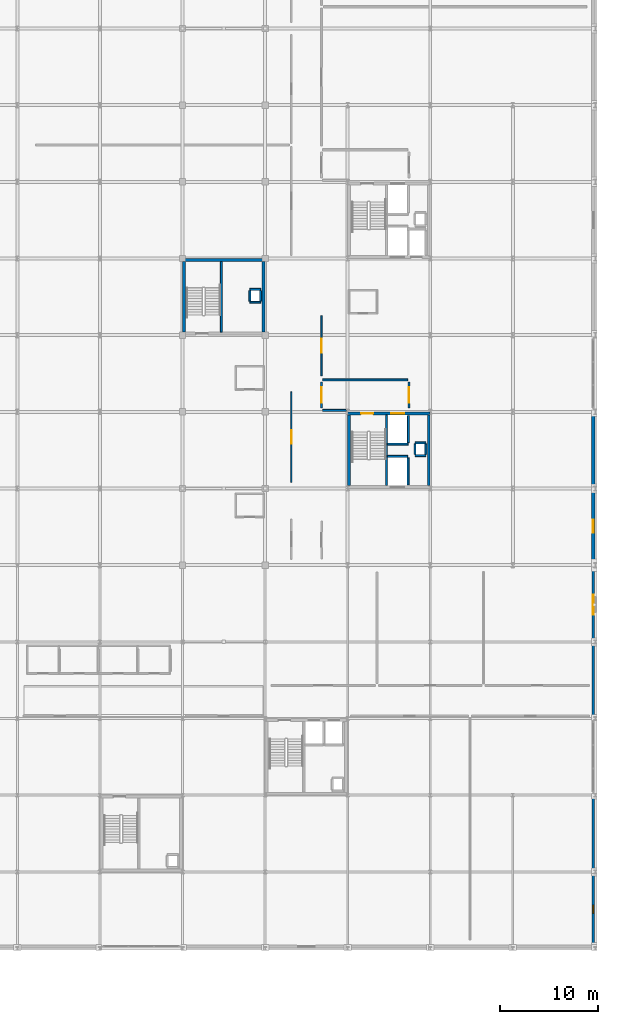
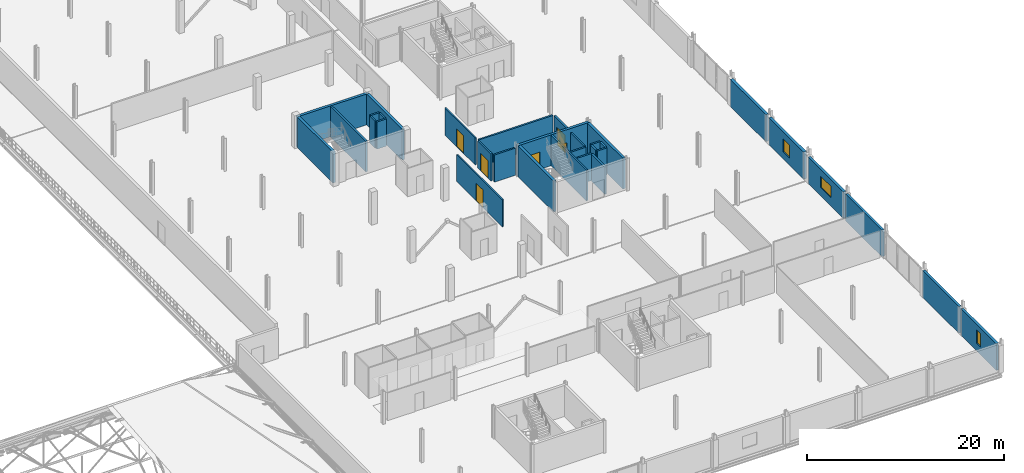
# One storey, part 60 of 77: 32 walls, 6 doors, 3 windows, 9 openings.
"""IFC4 building model written with IfcOpenShell, lengths in metres."""

from ifc_helpers import new_model, si_unit, direction, frame, frame_2d, origin, place, context, subcontext, project, spatial, rectangle, extrude, material, layer, layer_set, type_object, element, fill, save


model = new_model("IFC4")

# Units and contexts
model_context = context("Model", 3, precision=1e-05, world=origin(), true_north=direction((0.0, 1.0)))
body_context = subcontext(model_context, "Body", "Model", "MODEL_VIEW")
ifc_project = project(units=[si_unit("LENGTHUNIT", "METRE"), si_unit("AREAUNIT", "SQUARE_METRE"), si_unit("VOLUMEUNIT", "CUBIC_METRE"), si_unit("PLANEANGLEUNIT", "RADIAN"), si_unit("MASSUNIT", "GRAM", prefix="KILO")], contexts=[model_context])

# Site, building, storey
site_placement = place(None, origin())
site = spatial("IfcSite", under=ifc_project, at=site_placement, CompositionType="ELEMENT")
building_placement = place(site_placement, origin())
building = spatial("IfcBuilding", under=site, at=building_placement, Name="Nabrawat Pavilion Hospital", CompositionType="ELEMENT")
storey_placement = place(building_placement, frame((0.0, 0.0, 14.85009765625)))
storey = spatial("IfcBuildingStorey", under=building, at=storey_placement, Name="L03", CompositionType="ELEMENT", Elevation=14.85009765625)

# Wall, opening, door
ifc_material_1 = material(Name="Gypsum Fireboard on Steel Stud", Category="steel")
ifc_layer_1 = layer(ifc_material_1, 0.14990234375, Name="Gypsum Fireboard on Steel Stud")
ifc_layer_set_1 = layer_set([ifc_layer_1], Name="Gypsum Fireboard on Steel Stud")
wall_type_1 = type_object("IfcWallType", Name="Clinical Corridor Smoke-Barrier Wall 150", PredefinedType="PARTITIONING", material=ifc_layer_set_1)
wall_1_placement = place(storey_placement, frame((162.260009765625, 47.419921875, 0.0), z_axis=(0.0, 0.0, 1.0), x_axis=(0.0, 1.0, 0.0)))
wall_1 = element("IfcWall", 1, at=wall_1_placement, inside=storey, type_object=wall_type_1, Name="L03 Inpatient Ward Step-Down Telemetry Room L03-02 Front Partition", PredefinedType="PARTITIONING", context=body_context, shape_type="SweptSolid", body=[
    extrude(rectangle(XDim=9.219970703125, YDim=0.14990234375, at=frame_2d((4.60986328125, 0.0))), origin(), (0.0, 0.0, 1.0), 3.349853515625),
])
opening_1_placement = place(wall_1_placement, frame((3.909912109375, 0.0, 0.0)))
opening_1 = element("IfcOpeningElement", 2, at=opening_1_placement, cuts=wall_1, Name="Opening D-BED", PredefinedType="OPENING", context=body_context, shape_type="SweptSolid", body=[
    extrude(rectangle(XDim=1.39990234375, YDim=2.199951171875, at=frame_2d((0.699951171875, 1.10009765625))), frame((0.0, 0.0849609375, 0.0), z_axis=(0.0, -1.0, 0.0), x_axis=(1.0, 0.0, 0.0)), (0.0, 0.0, 1.0), 0.169921875),
])
ifc_material_2 = material(Name="Stainless-Clad Acoustic Timber and Vision Glass", Category="wood")
door_type_1 = type_object("IfcDoorType", Name="D-BED Inpatient Ward Leaf-and-a-Half Door 1400x2200", OperationType="NOTDEFINED", PredefinedType="DOOR", material=ifc_material_2)
door_1_placement = place(opening_1_placement, origin())
door_1 = element("IfcDoor", 3, at=door_1_placement, inside=storey, type_object=door_type_1, Name="Inpatient Ward Step-Down Telemetry Room L03-02 Door", OperationType="SINGLE_SWING_RIGHT", OverallHeight=2.199951171875, OverallWidth=1.39990234375, PredefinedType="DOOR", context=body_context, shape_type="SweptSolid", body=[
    extrude(rectangle(XDim=1.39990234375, YDim=2.199951171875, at=frame_2d((0.699951171875, 1.10009765625))), frame((0.0, 0.02490234375, 0.0), z_axis=(0.0, -1.0, 0.0), x_axis=(1.0, 0.0, 0.0)), (0.0, 0.0, 1.0), 0.050048828125),
])
fill(opening_1, door_1)

wall_2_placement = place(storey_placement, frame((165.340087890625, 58.25, 0.0), z_axis=(0.0, 0.0, 1.0), x_axis=(0.0, 1.0, 0.0)))
wall_2 = element("IfcWall", 4, at=wall_2_placement, inside=storey, type_object=wall_type_1, Name="L03 Inpatient Ward Step-Down Telemetry Room L03-08 Front Partition", PredefinedType="PARTITIONING", context=body_context, shape_type="SweptSolid", body=[
    extrude(rectangle(XDim=6.139892578125, YDim=0.14990234375, at=frame_2d((3.06982421875, 0.0))), origin(), (0.0, 0.0, 1.0), 3.349853515625),
])
opening_2_placement = place(wall_2_placement, frame((2.3701171875, 0.0, 0.0)))
opening_2 = element("IfcOpeningElement", 5, at=opening_2_placement, cuts=wall_2, Name="Opening D-BED", PredefinedType="OPENING", context=body_context, shape_type="SweptSolid", body=[
    extrude(rectangle(XDim=1.39990234375, YDim=2.199951171875, at=frame_2d((0.699951171875, 1.10009765625))), frame((0.0, 0.0849609375, 0.0), z_axis=(0.0, -1.0, 0.0), x_axis=(1.0, 0.0, 0.0)), (0.0, 0.0, 1.0), 0.169921875),
])
door_2_placement = place(opening_2_placement, origin())
door_2 = element("IfcDoor", 6, at=door_2_placement, inside=storey, type_object=door_type_1, Name="Inpatient Ward Step-Down Telemetry Room L03-08 Door", OperationType="SINGLE_SWING_LEFT", OverallHeight=2.199951171875, OverallWidth=1.39990234375, PredefinedType="DOOR", context=body_context, shape_type="SweptSolid", body=[
    extrude(rectangle(XDim=1.39990234375, YDim=2.199951171875, at=frame_2d((0.699951171875, 1.10009765625))), frame((0.0, 0.02490234375, 0.0), z_axis=(0.0, -1.0, 0.0), x_axis=(1.0, 0.0, 0.0)), (0.0, 0.0, 1.0), 0.050048828125),
])
fill(opening_2, door_2)

# Wall, opening, window
ifc_material_3 = material(Name="Precast concrete C40/50", Category="concrete")
ifc_layer_2 = layer(ifc_material_3, 0.320068359375, Name="Precast concrete C40/50")
ifc_layer_set_2 = layer_set([ifc_layer_2], Name="Precast concrete C40/50")
wall_type_2 = type_object("IfcWallType", Name="Deep-Reveal Precast Facade Wall 320", PredefinedType="SOLIDWALL", material=ifc_layer_set_2)
wall_3_placement = place(storey_placement, frame((192.97998046875, 39.43994140625, 0.0), z_axis=(0.0, 0.0, 1.0), x_axis=(0.0, 1.0, 0.0)))
wall_3 = element("IfcWall", 7, at=wall_3_placement, inside=storey, type_object=wall_type_2, Name="L03 Deep-Reveal Precast Facade Wall 320 341", PredefinedType="SOLIDWALL", context=body_context, shape_type="SweptSolid", body=[
    extrude(rectangle(XDim=7.06005859375, YDim=0.320068359375, at=frame_2d((3.530029296875, 0.0))), origin(), (0.0, 0.0, 1.0), 3.349853515625),
])
opening_3_placement = place(wall_3_placement, frame((2.8798828125, 0.0, 0.89990234375)))
opening_3 = element("IfcOpeningElement", 8, at=opening_3_placement, cuts=wall_3, Name="Opening WN-30", PredefinedType="OPENING", context=body_context, shape_type="SweptSolid", body=[
    extrude(rectangle(XDim=1.300048828125, YDim=1.60009765625, at=frame_2d((0.64990234375, 0.800048828125))), frame((0.0, 0.169921875, 0.0), z_axis=(0.0, -1.0, 0.0), x_axis=(1.0, 0.0, 0.0)), (0.0, 0.0, 1.0), 0.340087890625),
])
ifc_material_4 = material(Name="Thermally Broken Aluminium and Solar Glass", Category="aluminium")
window_type_1 = type_object("IfcWindowType", Name="Genetics Clinic Window 1300x1600", PartitioningType="SINGLE_PANEL", PredefinedType="WINDOW", material=ifc_material_4)
window_1_placement = place(opening_3_placement, origin())
window_1 = element("IfcWindow", 9, at=window_1_placement, inside=storey, type_object=window_type_1, Name="L03 Genetics Clinic Window 1300x1600 126", OverallHeight=1.60009765625, OverallWidth=1.300048828125, PartitioningType="SINGLE_PANEL", PredefinedType="WINDOW", context=body_context, shape_type="SweptSolid", body=[
    extrude(rectangle(XDim=1.300048828125, YDim=1.60009765625, at=frame_2d((0.64990234375, 0.800048828125))), frame((0.0, 0.030029296875, 0.0), z_axis=(0.0, -1.0, 0.0), x_axis=(1.0, 0.0, 0.0)), (0.0, 0.0, 1.0), 0.06005859375),
])
fill(opening_3, window_1)

# Walls
wall_4_placement = place(storey_placement, frame((192.97998046875, 47.10009765625, 0.0), z_axis=(0.0, 0.0, 1.0), x_axis=(0.0, 1.0, 0.0)))
element("IfcWall", 10, at=wall_4_placement, inside=storey, type_object=wall_type_2, Name="L03 Deep-Reveal Precast Facade Wall 320 342", PredefinedType="SOLIDWALL", context=body_context, shape_type="SweptSolid", body=[
    extrude(rectangle(XDim=7.199951171875, YDim=0.320068359375, at=frame_2d((3.60009765625, 0.0))), origin(), (0.0, 0.0, 1.0), 3.349853515625),
])
ifc_material_5 = material(Name="Concrete C35/45", Category="concrete")
ifc_layer_3 = layer(ifc_material_5, 0.199951171875, Name="Concrete C35/45")
ifc_layer_set_3 = layer_set([ifc_layer_3], Name="Concrete C35/45")
wall_type_3 = type_object("IfcWallType", Name="Firefighting Lobby Compartment Wall 200", PredefinedType="PARTITIONING", material=ifc_layer_set_3)
wall_5_placement = place(storey_placement, frame((165.43994140625, 54.75, 0.0), z_axis=(0.0, 0.0, 1.0), x_axis=(1.0, 0.0, 0.0)))
element("IfcWall", 11, at=wall_5_placement, inside=storey, type_object=wall_type_3, Name="L03 CORE-5 Firefighting Lobby South Return Wall", PredefinedType="PARTITIONING", context=body_context, shape_type="SweptSolid", body=[
    extrude(rectangle(XDim=2.43994140625, YDim=0.199951171875, at=frame_2d((1.219970703125, 0.0))), origin(), (0.0, 0.0, 1.0), 3.349853515625),
])
wall_6_placement = place(storey_placement, frame((165.43994140625, 57.85009765625, 0.0), z_axis=(0.0, 0.0, 1.0), x_axis=(1.0, 0.0, 0.0)))
element("IfcWall", 12, at=wall_6_placement, inside=storey, type_object=wall_type_3, Name="L03 CORE-5 Firefighting Lobby North Compartment Wall", PredefinedType="PARTITIONING", context=body_context, shape_type="SweptSolid", body=[
    extrude(rectangle(XDim=8.66015625, YDim=0.199951171875, at=frame_2d((4.330078125, 0.0))), origin(), (0.0, 0.0, 1.0), 3.349853515625),
])

# Wall, opening, door
wall_7_placement = place(storey_placement, frame((165.320068359375, 55.0, 0.0), z_axis=(0.0, 0.0, 1.0), x_axis=(0.0, 1.0, 0.0)))
wall_7 = element("IfcWall", 13, at=wall_7_placement, inside=storey, type_object=wall_type_3, Name="L03 CORE-5 Firefighting Lobby West Compartment Wall", PredefinedType="PARTITIONING", context=body_context, shape_type="SweptSolid", body=[
    extrude(rectangle(XDim=2.64990234375, YDim=0.199951171875, at=frame_2d((1.324951171875, 0.0))), origin(), (0.0, 0.0, 1.0), 3.349853515625),
])
opening_4_placement = place(wall_7_placement, frame((0.52490234375, 0.0, 0.0)))
opening_4 = element("IfcOpeningElement", 14, at=opening_4_placement, cuts=wall_7, Name="Opening D-FFL", PredefinedType="OPENING", context=body_context, shape_type="SweptSolid", body=[
    extrude(rectangle(XDim=1.60009765625, YDim=2.199951171875, at=frame_2d((0.800048828125, 1.10009765625))), frame((0.0, 0.10986328125, 0.0), z_axis=(0.0, -1.0, 0.0), x_axis=(1.0, 0.0, 0.0)), (0.0, 0.0, 1.0), 0.219970703125),
])
door_type_2 = type_object("IfcDoorType", Name="D-FFL Firefighting Lobby Double Smoke Door 1600x2200", OperationType="NOTDEFINED", PredefinedType="DOOR", material=ifc_material_2)
door_3_placement = place(opening_4_placement, origin())
door_3 = element("IfcDoor", 15, at=door_3_placement, inside=storey, type_object=door_type_2, Name="L03 CORE-5 Firefighting Lobby West Smoke Door", OperationType="DOUBLE_DOOR_SINGLE_SWING", OverallHeight=2.199951171875, OverallWidth=1.60009765625, PredefinedType="DOOR", context=body_context, shape_type="SweptSolid", body=[
    extrude(rectangle(XDim=1.60009765625, YDim=2.199951171875, at=frame_2d((0.800048828125, 1.10009765625))), frame((0.0, 0.02490234375, 0.0), z_axis=(0.0, -1.0, 0.0), x_axis=(1.0, 0.0, 0.0)), (0.0, 0.0, 1.0), 0.050048828125),
])
fill(opening_4, door_3)

wall_8_placement = place(storey_placement, frame((174.25, 55.0, 0.0), z_axis=(0.0, 0.0, 1.0), x_axis=(0.0, 1.0, 0.0)))
wall_8 = element("IfcWall", 16, at=wall_8_placement, inside=storey, type_object=wall_type_3, Name="L03 CORE-5 Firefighting Lobby East Compartment Wall", PredefinedType="PARTITIONING", context=body_context, shape_type="SweptSolid", body=[
    extrude(rectangle(XDim=2.64990234375, YDim=0.199951171875, at=frame_2d((1.324951171875, 0.0))), origin(), (0.0, 0.0, 1.0), 3.349853515625),
])
opening_5_placement = place(wall_8_placement, frame((0.52490234375, 0.0, 0.0)))
opening_5 = element("IfcOpeningElement", 17, at=opening_5_placement, cuts=wall_8, Name="Opening D-FFL", PredefinedType="OPENING", context=body_context, shape_type="SweptSolid", body=[
    extrude(rectangle(XDim=1.60009765625, YDim=2.199951171875, at=frame_2d((0.800048828125, 1.10009765625))), frame((0.0, 0.10986328125, 0.0), z_axis=(0.0, -1.0, 0.0), x_axis=(1.0, 0.0, 0.0)), (0.0, 0.0, 1.0), 0.219970703125),
])
door_4_placement = place(opening_5_placement, origin())
door_4 = element("IfcDoor", 18, at=door_4_placement, inside=storey, type_object=door_type_2, Name="L03 CORE-5 Firefighting Lobby East Smoke Door", OperationType="DOUBLE_DOOR_SINGLE_SWING", OverallHeight=2.199951171875, OverallWidth=1.60009765625, PredefinedType="DOOR", context=body_context, shape_type="SweptSolid", body=[
    extrude(rectangle(XDim=1.60009765625, YDim=2.199951171875, at=frame_2d((0.800048828125, 1.10009765625))), frame((0.0, 0.02490234375, 0.0), z_axis=(0.0, -1.0, 0.0), x_axis=(1.0, 0.0, 0.0)), (0.0, 0.0, 1.0), 0.050048828125),
])
fill(opening_5, door_4)

# Wall, opening, window
ifc_layer_4 = layer(ifc_material_3, 0.280029296875, Name="Precast concrete C40/50")
ifc_layer_set_4 = layer_set([ifc_layer_4], Name="Precast concrete C40/50")
wall_type_4 = type_object("IfcWallType", Name="Insulated Precast Facade Wall 280", PredefinedType="SOLIDWALL", material=ifc_layer_set_4)
wall_9_placement = place(storey_placement, frame((192.97998046875, 0.43994140625, 0.0), z_axis=(0.0, 0.0, 1.0), x_axis=(0.0, 1.0, 0.0)))
wall_9 = element("IfcWall", 19, at=wall_9_placement, inside=storey, type_object=wall_type_4, Name="L03 Insulated Precast Facade Wall 280 337", PredefinedType="SOLIDWALL", context=body_context, shape_type="SweptSolid", body=[
    extrude(rectangle(XDim=7.14013671875, YDim=0.280029296875, at=frame_2d((3.570068359375, 0.0))), origin(), (0.0, 0.0, 1.0), 3.2998046875),
])
opening_6_placement = place(wall_9_placement, frame((3.169921875, 0.0, 0.949951171875)))
opening_6 = element("IfcOpeningElement", 20, at=opening_6_placement, cuts=wall_9, Name="Opening WN-28", PredefinedType="OPENING", context=body_context, shape_type="SweptSolid", body=[
    extrude(rectangle(XDim=0.800048828125, YDim=1.64990234375, at=frame_2d((0.39990234375, 0.824951171875))), frame((0.0, 0.14990234375, 0.0), z_axis=(0.0, -1.0, 0.0), x_axis=(1.0, 0.0, 0.0)), (0.0, 0.0, 1.0), 0.300048828125),
])
window_type_2 = type_object("IfcWindowType", Name="Staff Rest Narrow Slot Window 800x1650", PartitioningType="SINGLE_PANEL", PredefinedType="WINDOW", material=ifc_material_4)
window_2_placement = place(opening_6_placement, origin())
window_2 = element("IfcWindow", 21, at=window_2_placement, inside=storey, type_object=window_type_2, Name="L03 Staff Rest Narrow Slot Window 800x1650 124", OverallHeight=1.64990234375, OverallWidth=0.800048828125, PartitioningType="SINGLE_PANEL", PredefinedType="WINDOW", context=body_context, shape_type="SweptSolid", body=[
    extrude(rectangle(XDim=0.800048828125, YDim=1.64990234375, at=frame_2d((0.39990234375, 0.824951171875))), frame((0.0, 0.030029296875, 0.0), z_axis=(0.0, -1.0, 0.0), x_axis=(1.0, 0.0, 0.0)), (0.0, 0.0, 1.0), 0.06005859375),
])
fill(opening_6, window_2)

# Walls
for number, where, z_axis, x_axis, name in (
    (22, (192.97998046875, 8.02001953125, 0.0), (0.0, 0.0, 1.0), (0.0, 1.0, 0.0), "L03 Insulated Precast Facade Wall 280 338"),
    (23, (192.97998046875, 23.6201171875, 0.0), (0.0, 0.0, 1.0), (0.0, 1.0, 0.0), "L03 Insulated Precast Facade Wall 280 339"),
):
    element("IfcWall", number, at=place(storey_placement, frame(where, z_axis=z_axis, x_axis=x_axis)), inside=storey, type_object=wall_type_4, Name=name, PredefinedType="SOLIDWALL", context=body_context, shape_type="SweptSolid", body=[
        extrude(rectangle(XDim=7.35986328125, YDim=0.280029296875, at=frame_2d((3.679931640625, 0.0))), origin(), (0.0, 0.0, 1.0), 3.2998046875),
    ])

# Wall, opening, window
wall_10_placement = place(storey_placement, frame((192.97998046875, 31.419921875, 0.0), z_axis=(0.0, 0.0, 1.0), x_axis=(0.0, 1.0, 0.0)))
wall_10 = element("IfcWall", 24, at=wall_10_placement, inside=storey, type_object=wall_type_4, Name="L03 Insulated Precast Facade Wall 280 340", PredefinedType="SOLIDWALL", context=body_context, shape_type="SweptSolid", body=[
    extrude(rectangle(XDim=7.14013671875, YDim=0.280029296875, at=frame_2d((3.570068359375, 0.0))), origin(), (0.0, 0.0, 1.0), 3.2998046875),
])
opening_7_placement = place(wall_10_placement, frame((2.544921875, 0.0, 1.050048828125)))
opening_7 = element("IfcOpeningElement", 25, at=opening_7_placement, cuts=wall_10, Name="Opening WN-29", PredefinedType="OPENING", context=body_context, shape_type="SweptSolid", body=[
    extrude(rectangle(XDim=2.050048828125, YDim=1.39990234375, at=frame_2d((1.02490234375, 0.699951171875))), frame((0.0, 0.14990234375, 0.0), z_axis=(0.0, -1.0, 0.0), x_axis=(1.0, 0.0, 0.0)), (0.0, 0.0, 1.0), 0.300048828125),
])
window_type_3 = type_object("IfcWindowType", Name="Endoscopy Recovery Window 2050x1400", PartitioningType="SINGLE_PANEL", PredefinedType="WINDOW", material=ifc_material_4)
window_3_placement = place(opening_7_placement, origin())
window_3 = element("IfcWindow", 26, at=window_3_placement, inside=storey, type_object=window_type_3, Name="L03 Endoscopy Recovery Window 2050x1400 125", OverallHeight=1.39990234375, OverallWidth=2.050048828125, PartitioningType="SINGLE_PANEL", PredefinedType="WINDOW", context=body_context, shape_type="SweptSolid", body=[
    extrude(rectangle(XDim=2.050048828125, YDim=1.39990234375, at=frame_2d((1.02490234375, 0.699951171875))), frame((0.0, 0.030029296875, 0.0), z_axis=(0.0, -1.0, 0.0), x_axis=(1.0, 0.0, 0.0)), (0.0, 0.0, 1.0), 0.06005859375),
])
fill(opening_7, window_3)

# Walls
ifc_layer_5 = layer(ifc_material_5, 0.199951171875, Name="Concrete C35/45")
ifc_layer_set_5 = layer_set([ifc_layer_5], Name="Concrete C35/45")
wall_type_5 = type_object("IfcWallType", Name="Lift and Riser Fire Shaft Wall 200", PredefinedType="PARTITIONING", material=ifc_layer_set_5)
wall_11_placement = place(storey_placement, frame((171.949951171875, 47.1201171875, 0.0), z_axis=(0.0, 0.0, 1.0), x_axis=(0.0, 1.0, 0.0)))
element("IfcWall", 27, at=wall_11_placement, inside=storey, type_object=wall_type_5, Name="L03 CORE-5 Stair-Lift Dividing Shear Wall", PredefinedType="SHEAR", context=body_context, shape_type="SweptSolid", body=[
    extrude(rectangle(XDim=7.159912109375, YDim=0.199951171875, at=frame_2d((3.580078125, 0.0))), origin(), (0.0, 0.0, 1.0), 3.809814453125),
])
for number, where, z_axis, x_axis, name in (
    (28, (174.85009765625, 50.14990234375, 0.0), (0.0, 0.0, 1.0), (1.0, 0.0, 0.0), "L03 CORE-5 MEP Riser Shaft Wall S"),
    (29, (174.85009765625, 51.449951171875, 0.0), (0.0, 0.0, 1.0), (1.0, 0.0, 0.0), "L03 CORE-5 MEP Riser Shaft Wall N"),
):
    element("IfcWall", number, at=place(storey_placement, frame(where, z_axis=z_axis, x_axis=x_axis)), inside=storey, type_object=wall_type_5, Name=name, PredefinedType="PARTITIONING", context=body_context, shape_type="SweptSolid", body=[
        extrude(rectangle(XDim=1.099853515625, YDim=0.199951171875, at=frame_2d((0.5498046875, 0.0))), origin(), (0.0, 0.0, 1.0), 3.349853515625),
    ])
for number, where, z_axis, x_axis, name in (
    (30, (174.85009765625, 50.27001953125, 0.0), (0.0, 0.0, 1.0), (0.0, 1.0, 0.0), "L03 CORE-5 MEP Riser Shaft Wall W"),
    (31, (175.949951171875, 50.27001953125, 0.0), (0.0, 0.0, 1.0), (0.0, 1.0, 0.0), "L03 CORE-5 MEP Riser Shaft Wall E"),
):
    element("IfcWall", number, at=place(storey_placement, frame(where, z_axis=z_axis, x_axis=x_axis)), inside=storey, type_object=wall_type_5, Name=name, PredefinedType="PARTITIONING", context=body_context, shape_type="SweptSolid", body=[
        extrude(rectangle(XDim=1.06005859375, YDim=0.199951171875, at=frame_2d((0.530029296875, 0.0))), origin(), (0.0, 0.0, 1.0), 3.349853515625),
    ])
wall_12_placement = place(storey_placement, frame((174.179931640625, 51.47998046875, 0.0), z_axis=(0.0, 0.0, 1.0), x_axis=(0.0, 1.0, 0.0)))
element("IfcWall", 32, at=wall_12_placement, inside=storey, type_object=wall_type_5, Name="L03 Lift LF-01 Shaft East Wall", PredefinedType="PARTITIONING", context=body_context, shape_type="SweptSolid", body=[
    extrude(rectangle(XDim=2.739990234375, YDim=0.199951171875, at=frame_2d((1.3701171875, 0.0))), origin(), (0.0, 0.0, 1.0), 3.349853515625),
])
wall_13_placement = place(storey_placement, frame((172.050048828125, 51.320068359375, 0.0), z_axis=(0.0, 0.0, 1.0), x_axis=(1.0, 0.0, 0.0)))
element("IfcWall", 33, at=wall_13_placement, inside=storey, type_object=wall_type_5, Name="L03 Lift LF-01 Shaft Back Wall", PredefinedType="PARTITIONING", context=body_context, shape_type="SweptSolid", body=[
    extrude(rectangle(XDim=2.099853515625, YDim=0.199951171875, at=frame_2d((1.0498046875, 0.0))), origin(), (0.0, 0.0, 1.0), 3.349853515625),
])
wall_14_placement = place(storey_placement, frame((174.139892578125, 47.179931640625, 0.0), z_axis=(0.0, 0.0, 1.0), x_axis=(0.0, 1.0, 0.0)))
element("IfcWall", 34, at=wall_14_placement, inside=storey, type_object=wall_type_5, Name="L03 Lift LB-03 Shaft East Wall", PredefinedType="PARTITIONING", context=body_context, shape_type="SweptSolid", body=[
    extrude(rectangle(XDim=2.739990234375, YDim=0.199951171875, at=frame_2d((1.3701171875, 0.0))), origin(), (0.0, 0.0, 1.0), 3.349853515625),
])
wall_15_placement = place(storey_placement, frame((172.050048828125, 50.080078125, 0.0), z_axis=(0.0, 0.0, 1.0), x_axis=(1.0, 0.0, 0.0)))
element("IfcWall", 35, at=wall_15_placement, inside=storey, type_object=wall_type_5, Name="L03 Lift LB-03 Shaft Back Wall", PredefinedType="PARTITIONING", context=body_context, shape_type="SweptSolid", body=[
    extrude(rectangle(XDim=2.06005859375, YDim=0.199951171875, at=frame_2d((1.030029296875, 0.0))), origin(), (0.0, 0.0, 1.0), 3.349853515625),
])
wall_16_placement = place(storey_placement, frame((155.14990234375, 62.719970703125, 0.0), z_axis=(0.0, 0.0, 1.0), x_axis=(0.0, 1.0, 0.0)))
element("IfcWall", 36, at=wall_16_placement, inside=storey, type_object=wall_type_5, Name="L03 CORE-9 Stair-Lift Dividing Shear Wall", PredefinedType="SHEAR", context=body_context, shape_type="SweptSolid", body=[
    extrude(rectangle(XDim=7.159912109375, YDim=0.199951171875, at=frame_2d((3.580078125, 0.0))), origin(), (0.0, 0.0, 1.0), 3.809814453125),
])
for number, where, z_axis, x_axis, name in (
    (37, (158.050048828125, 65.75, 0.0), (0.0, 0.0, 1.0), (1.0, 0.0, 0.0), "L03 CORE-9 MEP Riser Shaft Wall S"),
    (38, (158.050048828125, 67.050048828125, 0.0), (0.0, 0.0, 1.0), (1.0, 0.0, 0.0), "L03 CORE-9 MEP Riser Shaft Wall N"),
):
    element("IfcWall", number, at=place(storey_placement, frame(where, z_axis=z_axis, x_axis=x_axis)), inside=storey, type_object=wall_type_5, Name=name, PredefinedType="PARTITIONING", context=body_context, shape_type="SweptSolid", body=[
        extrude(rectangle(XDim=1.099853515625, YDim=0.199951171875, at=frame_2d((0.5498046875, 0.0))), origin(), (0.0, 0.0, 1.0), 3.349853515625),
    ])
for number, where, z_axis, x_axis, name in (
    (39, (158.050048828125, 65.8701171875, 0.0), (0.0, 0.0, 1.0), (0.0, 1.0, 0.0), "L03 CORE-9 MEP Riser Shaft Wall W"),
    (40, (159.14990234375, 65.8701171875, 0.0), (0.0, 0.0, 1.0), (0.0, 1.0, 0.0), "L03 CORE-9 MEP Riser Shaft Wall E"),
):
    element("IfcWall", number, at=place(storey_placement, frame(where, z_axis=z_axis, x_axis=x_axis)), inside=storey, type_object=wall_type_5, Name=name, PredefinedType="PARTITIONING", context=body_context, shape_type="SweptSolid", body=[
        extrude(rectangle(XDim=1.059814453125, YDim=0.199951171875, at=frame_2d((0.52978515625, 0.0))), origin(), (0.0, 0.0, 1.0), 3.349853515625),
    ])

# Wall, openings, doors
ifc_material_6 = material(Name="Concrete C40/50", Category="concrete")
ifc_layer_6 = layer(ifc_material_6, 0.300048828125, Name="Concrete C40/50")
ifc_layer_set_6 = layer_set([ifc_layer_6], Name="Concrete C40/50")
wall_type_6 = type_object("IfcWallType", Name="Reinforced Concrete Core Shear Wall 300", PredefinedType="SHEAR", material=ifc_layer_set_6)
wall_17_placement = place(storey_placement, frame((168.0, 54.449951171875, 0.0), z_axis=(0.0, 0.0, 1.0), x_axis=(1.0, 0.0, 0.0)))
wall_17 = element("IfcWall", 41, at=wall_17_placement, inside=storey, type_object=wall_type_6, Name="L03 CORE-5 North Core Shear Wall", PredefinedType="SHEAR", context=body_context, shape_type="SweptSolid", body=[
    extrude(rectangle(XDim=8.39990234375, YDim=0.300048828125, at=frame_2d((4.199951171875, 0.0))), origin(), (0.0, 0.0, 1.0), 3.809814453125),
])
opening_8_placement = place(wall_17_placement, frame((1.3798828125, 0.0, 0.0)))
opening_8 = element("IfcOpeningElement", 42, at=opening_8_placement, cuts=wall_17, Name="Opening D-STAIR", PredefinedType="OPENING", context=body_context, shape_type="SweptSolid", body=[
    extrude(rectangle(XDim=1.199951171875, YDim=2.14990234375, at=frame_2d((0.60009765625, 1.074951171875))), frame((0.0, 0.16015625, 0.0), z_axis=(0.0, -1.0, 0.0), x_axis=(1.0, 0.0, 0.0)), (0.0, 0.0, 1.0), 0.320068359375),
])
opening_9_placement = place(wall_17_placement, frame((4.449951171875, 0.0, 0.0)))
opening_9 = element("IfcOpeningElement", 43, at=opening_9_placement, cuts=wall_17, Name="Opening LD-LF-01", PredefinedType="OPENING", context=body_context, shape_type="SweptSolid", body=[
    extrude(rectangle(XDim=1.300048828125, YDim=2.199951171875, at=frame_2d((0.64990234375, 1.10009765625))), frame((0.0, 0.16015625, 0.0), z_axis=(0.0, -1.0, 0.0), x_axis=(1.0, 0.0, 0.0)), (0.0, 0.0, 1.0), 0.320068359375),
])
door_type_3 = type_object("IfcDoorType", Name="D-STAIR Exit Stair Fire Door 1200x2150", OperationType="NOTDEFINED", PredefinedType="DOOR", material=ifc_material_2)
door_5_placement = place(opening_8_placement, origin())
door_5 = element("IfcDoor", 44, at=door_5_placement, inside=storey, type_object=door_type_3, Name="L03 ST-05 Fire Exit Stair Door", OperationType="SINGLE_SWING_LEFT", OverallHeight=2.14990234375, OverallWidth=1.199951171875, PredefinedType="DOOR", context=body_context, shape_type="SweptSolid", body=[
    extrude(rectangle(XDim=1.199951171875, YDim=2.14990234375, at=frame_2d((0.60009765625, 1.074951171875))), frame((0.0, 0.02490234375, 0.0), z_axis=(0.0, -1.0, 0.0), x_axis=(1.0, 0.0, 0.0)), (0.0, 0.0, 1.0), 0.050048828125),
])
fill(opening_8, door_5)
door_type_4 = type_object("IfcDoorType", Name="Firefighting Lift Sliding Landing Door 1300x2200", OperationType="DOUBLE_DOOR_SLIDING", PredefinedType="DOOR", material=ifc_material_2)
door_6_placement = place(opening_9_placement, origin())
door_6 = element("IfcDoor", 45, at=door_6_placement, inside=storey, type_object=door_type_4, Name="L03 Lift LF-01 Sliding Landing Door", OperationType="DOUBLE_DOOR_SLIDING", OverallHeight=2.199951171875, OverallWidth=1.300048828125, PredefinedType="DOOR", context=body_context, shape_type="SweptSolid", body=[
    extrude(rectangle(XDim=1.300048828125, YDim=2.199951171875, at=frame_2d((0.64990234375, 1.10009765625))), frame((0.0, 0.02490234375, 0.0), z_axis=(0.0, -1.0, 0.0), x_axis=(1.0, 0.0, 0.0)), (0.0, 0.0, 1.0), 0.050048828125),
])
fill(opening_9, door_6)

# Walls
for number, where, z_axis, x_axis, name in (
    (46, (168.14990234375, 47.10009765625, 0.0), (0.0, 0.0, 1.0), (0.0, 1.0, 0.0), "L03 CORE-5 West Core Shear Wall"),
    (47, (176.25, 47.10009765625, 0.0), (0.0, 0.0, 1.0), (0.0, 1.0, 0.0), "L03 CORE-5 East Core Shear Wall"),
):
    element("IfcWall", number, at=place(storey_placement, frame(where, z_axis=z_axis, x_axis=x_axis)), inside=storey, type_object=wall_type_6, Name=name, PredefinedType="SHEAR", context=body_context, shape_type="SweptSolid", body=[
        extrude(rectangle(XDim=7.199951171875, YDim=0.300048828125, at=frame_2d((3.60009765625, 0.0))), origin(), (0.0, 0.0, 1.0), 3.809814453125),
    ])
wall_18_placement = place(storey_placement, frame((151.199951171875, 70.050048828125, 0.0), z_axis=(0.0, 0.0, 1.0), x_axis=(1.0, 0.0, 0.0)))
element("IfcWall", 48, at=wall_18_placement, inside=storey, type_object=wall_type_6, Name="L03 CORE-9 North Core Shear Wall", PredefinedType="SHEAR", context=body_context, shape_type="SweptSolid", body=[
    extrude(rectangle(XDim=8.400146484375, YDim=0.300048828125, at=frame_2d((4.2001953125, 0.0))), origin(), (0.0, 0.0, 1.0), 3.809814453125),
])
for number, where, z_axis, x_axis, name in (
    (49, (151.35009765625, 62.699951171875, 0.0), (0.0, 0.0, 1.0), (0.0, 1.0, 0.0), "L03 CORE-9 West Core Shear Wall"),
    (50, (159.449951171875, 62.699951171875, 0.0), (0.0, 0.0, 1.0), (0.0, 1.0, 0.0), "L03 CORE-9 East Core Shear Wall"),
):
    element("IfcWall", number, at=place(storey_placement, frame(where, z_axis=z_axis, x_axis=x_axis)), inside=storey, type_object=wall_type_6, Name=name, PredefinedType="SHEAR", context=body_context, shape_type="SweptSolid", body=[
        extrude(rectangle(XDim=7.199951171875, YDim=0.300048828125, at=frame_2d((3.60009765625, 0.0))), origin(), (0.0, 0.0, 1.0), 3.809814453125),
    ])

save(model, "model.ifc")
